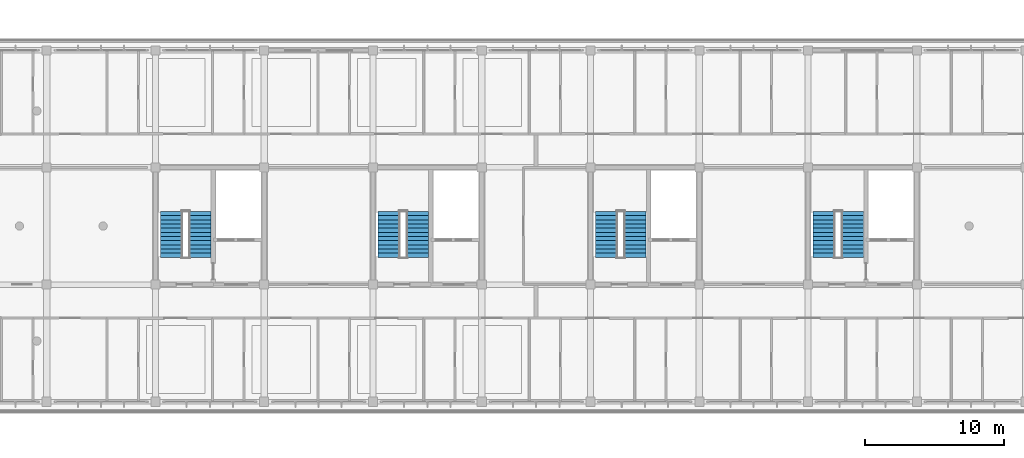
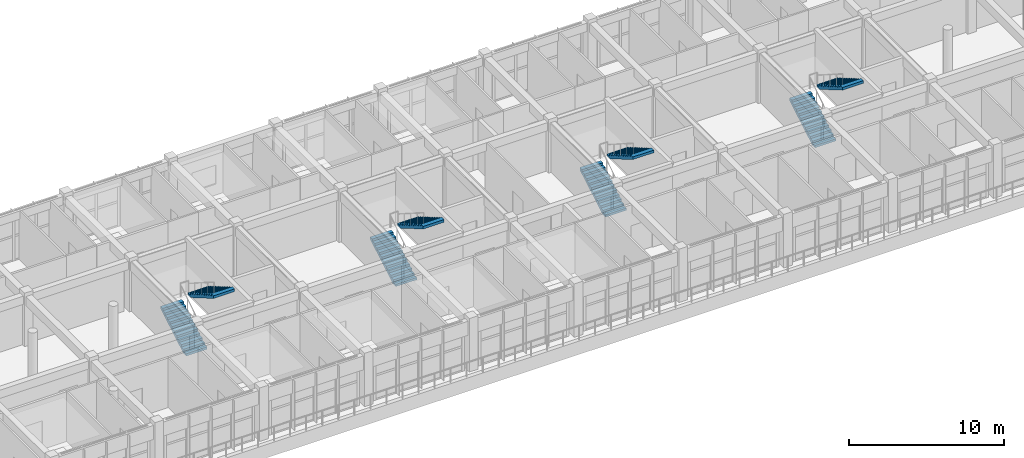
# One storey, part 56 of 63: 8 stair flights, 4 elements without a shape of their own.
"""IFC4 building model written with IfcOpenShell, lengths in metres."""

from ifc_helpers import new_model, si_unit, direction, frame, origin, place, context, subcontext, project, spatial, polyline, outline, extrude, material, type_object, element, aggregate, save


model = new_model("IFC4")

# Units and contexts
model_context = context("Model", 3, precision=1e-05, world=origin(), true_north=direction((0.0, 1.0)))
body_context = subcontext(model_context, "Body", "Model", "MODEL_VIEW")
ifc_project = project(units=[si_unit("LENGTHUNIT", "METRE"), si_unit("AREAUNIT", "SQUARE_METRE"), si_unit("VOLUMEUNIT", "CUBIC_METRE"), si_unit("PLANEANGLEUNIT", "RADIAN"), si_unit("MASSUNIT", "GRAM", prefix="KILO")], contexts=[model_context])

# Site, building, storey
site_placement = place(None, origin())
site = spatial("IfcSite", under=ifc_project, at=site_placement, CompositionType="ELEMENT")
building_placement = place(site_placement, origin())
building = spatial("IfcBuilding", under=site, at=building_placement, Name="Zizhar Promenade General Hospital", CompositionType="ELEMENT")
storey_placement = place(building_placement, frame((0.0, 0.0, 18.0)))
storey = spatial("IfcBuildingStorey", under=building, at=storey_placement, Name="L04", CompositionType="ELEMENT", Elevation=18.0)

# Stair, stair flights
ifc_material_1 = material(Name="Concrete C35/45", Category="concrete")
stair_type = type_object("IfcStairType", Name="STR-DOG-420", PredefinedType="HALF_TURN_STAIR", material=ifc_material_1)
stair_1_placement = place(storey_placement, origin())
stair_1 = element("IfcStair", 1, at=stair_1_placement, inside=storey, type_object=stair_type, Name="Exit Stair ST-02 (L04 to L05)", PredefinedType="HALF_TURN_STAIR")
ifc_material_2 = material(Name="Concrete C35/45", Category="concrete")
stair_flight_type = type_object("IfcStairFlightType", Name="SFL-DOG-420", PredefinedType="STRAIGHT", material=ifc_material_2)
stair_flight_1_placement = place(storey_placement, frame((47.949951171875, 10.35009765625, 0.0), z_axis=(0.0, 0.0, 1.0), x_axis=(0.0, 1.0, 0.0)))
stair_flight_1 = element("IfcStairFlight", 2, at=stair_flight_1_placement, type_object=stair_flight_type, Name="ST-02C flight 1", NumberOfRisers=12, NumberOfTreads=11, PredefinedType="STRAIGHT", RiserHeight=0.175, TreadLength=0.3, context=body_context, shape_type="SweptSolid", body=[
    extrude(outline(polyline([(0.0, 0.0), (0.0, 0.175048828125), (0.300048828125, 0.175048828125), (0.300048828125, 0.35009765625), (0.60009765625, 0.35009765625), (0.60009765625, 0.52490234375), (0.89990234375, 0.52490234375), (0.89990234375, 0.699951171875), (1.199951171875, 0.699951171875), (1.199951171875, 0.875), (1.5, 0.875), (1.5, 1.050048828125), (1.800048828125, 1.050048828125), (1.800048828125, 1.22509765625), (2.10009765625, 1.22509765625), (2.10009765625, 1.39990234375), (2.39990234375, 1.39990234375), (2.39990234375, 1.574951171875), (2.699951171875, 1.574951171875), (2.699951171875, 1.75), (3.0, 1.75), (3.0, 1.925048828125), (3.300048828125, 1.925048828125), (3.300048828125, 2.10009765625), (3.300048828125, 1.716796875), (0.357177734375, 0.0), (0.0, 0.0)])), frame((0.0, 0.780029296875, 0.0), z_axis=(0.0, -1.0, 0.0), x_axis=(1.0, 0.0, 0.0)), (0.0, 0.0, 1.0), 1.56005859375),
])
stair_flight_2_placement = place(storey_placement, frame((49.989990234375, 13.64990234375, 2.10009765625), z_axis=(0.0, 0.0, 1.0), x_axis=(0.0, -1.0, 0.0)))
stair_flight_2 = element("IfcStairFlight", 3, at=stair_flight_2_placement, type_object=stair_flight_type, Name="ST-02C flight 2", NumberOfRisers=12, NumberOfTreads=11, PredefinedType="STRAIGHT", RiserHeight=0.175, TreadLength=0.3, context=body_context, shape_type="SweptSolid", body=[
    extrude(outline(polyline([(0.0, 0.0), (0.0, 0.175048828125), (0.300048828125, 0.175048828125), (0.300048828125, 0.35009765625), (0.60009765625, 0.35009765625), (0.60009765625, 0.52490234375), (0.89990234375, 0.52490234375), (0.89990234375, 0.699951171875), (1.199951171875, 0.699951171875), (1.199951171875, 0.875), (1.5, 0.875), (1.5, 1.050048828125), (1.800048828125, 1.050048828125), (1.800048828125, 1.22509765625), (2.10009765625, 1.22509765625), (2.10009765625, 1.39990234375), (2.39990234375, 1.39990234375), (2.39990234375, 1.574951171875), (2.699951171875, 1.574951171875), (2.699951171875, 1.75), (3.0, 1.75), (3.0, 1.925048828125), (3.300048828125, 1.925048828125), (3.300048828125, 2.10009765625), (3.300048828125, 1.716796875), (0.357177734375, 0.0), (0.0, 0.0)])), frame((0.0, 0.780029296875, 0.0), z_axis=(0.0, -1.0, 0.0), x_axis=(1.0, 0.0, 0.0)), (0.0, 0.0, 1.0), 1.56005859375),
])
aggregate(stair_1, [stair_flight_1, stair_flight_2])

stair_2_placement = place(storey_placement, origin())
stair_2 = element("IfcStair", 4, at=stair_2_placement, inside=storey, type_object=stair_type, Name="Exit Stair ST-03 (L04 to L05)", PredefinedType="HALF_TURN_STAIR")
stair_flight_3_placement = place(storey_placement, frame((63.550048828125, 10.35009765625, 0.0), z_axis=(0.0, 0.0, 1.0), x_axis=(0.0, 1.0, 0.0)))
stair_flight_3 = element("IfcStairFlight", 5, at=stair_flight_3_placement, type_object=stair_flight_type, Name="ST-03C flight 1", NumberOfRisers=12, NumberOfTreads=11, PredefinedType="STRAIGHT", RiserHeight=0.175, TreadLength=0.3, context=body_context, shape_type="SweptSolid", body=[
    extrude(outline(polyline([(0.0, 0.0), (0.0, 0.175048828125), (0.300048828125, 0.175048828125), (0.300048828125, 0.35009765625), (0.60009765625, 0.35009765625), (0.60009765625, 0.52490234375), (0.89990234375, 0.52490234375), (0.89990234375, 0.699951171875), (1.199951171875, 0.699951171875), (1.199951171875, 0.875), (1.5, 0.875), (1.5, 1.050048828125), (1.800048828125, 1.050048828125), (1.800048828125, 1.22509765625), (2.10009765625, 1.22509765625), (2.10009765625, 1.39990234375), (2.39990234375, 1.39990234375), (2.39990234375, 1.574951171875), (2.699951171875, 1.574951171875), (2.699951171875, 1.75), (3.0, 1.75), (3.0, 1.925048828125), (3.300048828125, 1.925048828125), (3.300048828125, 2.10009765625), (3.300048828125, 1.716796875), (0.357177734375, 0.0), (0.0, 0.0)])), frame((0.0, 0.780029296875, 0.0), z_axis=(0.0, -1.0, 0.0), x_axis=(1.0, 0.0, 0.0)), (0.0, 0.0, 1.0), 1.56005859375),
])
stair_flight_4_placement = place(storey_placement, frame((65.590087890625, 13.64990234375, 2.10009765625), z_axis=(0.0, 0.0, 1.0), x_axis=(0.0, -1.0, 0.0)))
stair_flight_4 = element("IfcStairFlight", 6, at=stair_flight_4_placement, type_object=stair_flight_type, Name="ST-03C flight 2", NumberOfRisers=12, NumberOfTreads=11, PredefinedType="STRAIGHT", RiserHeight=0.175, TreadLength=0.3, context=body_context, shape_type="SweptSolid", body=[
    extrude(outline(polyline([(0.0, 0.0), (0.0, 0.175048828125), (0.300048828125, 0.175048828125), (0.300048828125, 0.35009765625), (0.60009765625, 0.35009765625), (0.60009765625, 0.52490234375), (0.89990234375, 0.52490234375), (0.89990234375, 0.699951171875), (1.199951171875, 0.699951171875), (1.199951171875, 0.875), (1.5, 0.875), (1.5, 1.050048828125), (1.800048828125, 1.050048828125), (1.800048828125, 1.22509765625), (2.10009765625, 1.22509765625), (2.10009765625, 1.39990234375), (2.39990234375, 1.39990234375), (2.39990234375, 1.574951171875), (2.699951171875, 1.574951171875), (2.699951171875, 1.75), (3.0, 1.75), (3.0, 1.925048828125), (3.300048828125, 1.925048828125), (3.300048828125, 2.10009765625), (3.300048828125, 1.716796875), (0.357177734375, 0.0), (0.0, 0.0)])), frame((0.0, 0.780029296875, 0.0), z_axis=(0.0, -1.0, 0.0), x_axis=(1.0, 0.0, 0.0)), (0.0, 0.0, 1.0), 1.56005859375),
])
aggregate(stair_2, [stair_flight_3, stair_flight_4])

stair_3_placement = place(storey_placement, origin())
stair_3 = element("IfcStair", 7, at=stair_3_placement, inside=storey, type_object=stair_type, Name="Exit Stair ST-04 (L04 to L05)", PredefinedType="HALF_TURN_STAIR")
stair_flight_5_placement = place(storey_placement, frame((79.14990234375, 10.35009765625, 0.0), z_axis=(0.0, 0.0, 1.0), x_axis=(0.0, 1.0, 0.0)))
stair_flight_5 = element("IfcStairFlight", 8, at=stair_flight_5_placement, type_object=stair_flight_type, Name="ST-04C flight 1", NumberOfRisers=12, NumberOfTreads=11, PredefinedType="STRAIGHT", RiserHeight=0.175, TreadLength=0.3, context=body_context, shape_type="SweptSolid", body=[
    extrude(outline(polyline([(0.0, 0.0), (0.0, 0.175048828125), (0.300048828125, 0.175048828125), (0.300048828125, 0.35009765625), (0.60009765625, 0.35009765625), (0.60009765625, 0.52490234375), (0.89990234375, 0.52490234375), (0.89990234375, 0.699951171875), (1.199951171875, 0.699951171875), (1.199951171875, 0.875), (1.5, 0.875), (1.5, 1.050048828125), (1.800048828125, 1.050048828125), (1.800048828125, 1.22509765625), (2.10009765625, 1.22509765625), (2.10009765625, 1.39990234375), (2.39990234375, 1.39990234375), (2.39990234375, 1.574951171875), (2.699951171875, 1.574951171875), (2.699951171875, 1.75), (3.0, 1.75), (3.0, 1.925048828125), (3.300048828125, 1.925048828125), (3.300048828125, 2.10009765625), (3.300048828125, 1.716796875), (0.357177734375, 0.0), (0.0, 0.0)])), frame((0.0, 0.780029296875, 0.0), z_axis=(0.0, -1.0, 0.0), x_axis=(1.0, 0.0, 0.0)), (0.0, 0.0, 1.0), 1.56005859375),
])
stair_flight_6_placement = place(storey_placement, frame((81.18994140625, 13.64990234375, 2.10009765625), z_axis=(0.0, 0.0, 1.0), x_axis=(0.0, -1.0, 0.0)))
stair_flight_6 = element("IfcStairFlight", 9, at=stair_flight_6_placement, type_object=stair_flight_type, Name="ST-04C flight 2", NumberOfRisers=12, NumberOfTreads=11, PredefinedType="STRAIGHT", RiserHeight=0.175, TreadLength=0.3, context=body_context, shape_type="SweptSolid", body=[
    extrude(outline(polyline([(0.0, 0.0), (0.0, 0.175048828125), (0.300048828125, 0.175048828125), (0.300048828125, 0.35009765625), (0.60009765625, 0.35009765625), (0.60009765625, 0.52490234375), (0.89990234375, 0.52490234375), (0.89990234375, 0.699951171875), (1.199951171875, 0.699951171875), (1.199951171875, 0.875), (1.5, 0.875), (1.5, 1.050048828125), (1.800048828125, 1.050048828125), (1.800048828125, 1.22509765625), (2.10009765625, 1.22509765625), (2.10009765625, 1.39990234375), (2.39990234375, 1.39990234375), (2.39990234375, 1.574951171875), (2.699951171875, 1.574951171875), (2.699951171875, 1.75), (3.0, 1.75), (3.0, 1.925048828125), (3.300048828125, 1.925048828125), (3.300048828125, 2.10009765625), (3.300048828125, 1.716796875), (0.357177734375, 0.0), (0.0, 0.0)])), frame((0.0, 0.780029296875, 0.0), z_axis=(0.0, -1.0, 0.0), x_axis=(1.0, 0.0, 0.0)), (0.0, 0.0, 1.0), 1.56005859375),
])
aggregate(stair_3, [stair_flight_5, stair_flight_6])

stair_4_placement = place(storey_placement, origin())
stair_4 = element("IfcStair", 10, at=stair_4_placement, inside=storey, type_object=stair_type, Name="Exit Stair ST-05 (L04 to L05)", PredefinedType="HALF_TURN_STAIR")
stair_flight_7_placement = place(storey_placement, frame((94.75, 10.35009765625, 0.0), z_axis=(0.0, 0.0, 1.0), x_axis=(0.0, 1.0, 0.0)))
stair_flight_7 = element("IfcStairFlight", 11, at=stair_flight_7_placement, type_object=stair_flight_type, Name="ST-05C flight 1", NumberOfRisers=12, NumberOfTreads=11, PredefinedType="STRAIGHT", RiserHeight=0.175, TreadLength=0.3, context=body_context, shape_type="SweptSolid", body=[
    extrude(outline(polyline([(0.0, 0.0), (0.0, 0.175048828125), (0.300048828125, 0.175048828125), (0.300048828125, 0.35009765625), (0.60009765625, 0.35009765625), (0.60009765625, 0.52490234375), (0.89990234375, 0.52490234375), (0.89990234375, 0.699951171875), (1.199951171875, 0.699951171875), (1.199951171875, 0.875), (1.5, 0.875), (1.5, 1.050048828125), (1.800048828125, 1.050048828125), (1.800048828125, 1.22509765625), (2.10009765625, 1.22509765625), (2.10009765625, 1.39990234375), (2.39990234375, 1.39990234375), (2.39990234375, 1.574951171875), (2.699951171875, 1.574951171875), (2.699951171875, 1.75), (3.0, 1.75), (3.0, 1.925048828125), (3.300048828125, 1.925048828125), (3.300048828125, 2.10009765625), (3.300048828125, 1.716796875), (0.357177734375, 0.0), (0.0, 0.0)])), frame((0.0, 0.780029296875, 0.0), z_axis=(0.0, -1.0, 0.0), x_axis=(1.0, 0.0, 0.0)), (0.0, 0.0, 1.0), 1.56005859375),
])
stair_flight_8_placement = place(storey_placement, frame((96.7900390625, 13.64990234375, 2.10009765625), z_axis=(0.0, 0.0, 1.0), x_axis=(0.0, -1.0, 0.0)))
stair_flight_8 = element("IfcStairFlight", 12, at=stair_flight_8_placement, type_object=stair_flight_type, Name="ST-05C flight 2", NumberOfRisers=12, NumberOfTreads=11, PredefinedType="STRAIGHT", RiserHeight=0.175, TreadLength=0.3, context=body_context, shape_type="SweptSolid", body=[
    extrude(outline(polyline([(0.0, 0.0), (0.0, 0.175048828125), (0.300048828125, 0.175048828125), (0.300048828125, 0.35009765625), (0.60009765625, 0.35009765625), (0.60009765625, 0.52490234375), (0.89990234375, 0.52490234375), (0.89990234375, 0.699951171875), (1.199951171875, 0.699951171875), (1.199951171875, 0.875), (1.5, 0.875), (1.5, 1.050048828125), (1.800048828125, 1.050048828125), (1.800048828125, 1.22509765625), (2.10009765625, 1.22509765625), (2.10009765625, 1.39990234375), (2.39990234375, 1.39990234375), (2.39990234375, 1.574951171875), (2.699951171875, 1.574951171875), (2.699951171875, 1.75), (3.0, 1.75), (3.0, 1.925048828125), (3.300048828125, 1.925048828125), (3.300048828125, 2.10009765625), (3.300048828125, 1.716796875), (0.357177734375, 0.0), (0.0, 0.0)])), frame((0.0, 0.780029296875, 0.0), z_axis=(0.0, -1.0, 0.0), x_axis=(1.0, 0.0, 0.0)), (0.0, 0.0, 1.0), 1.56005859375),
])
aggregate(stair_4, [stair_flight_7, stair_flight_8])

save(model, "model.ifc")
